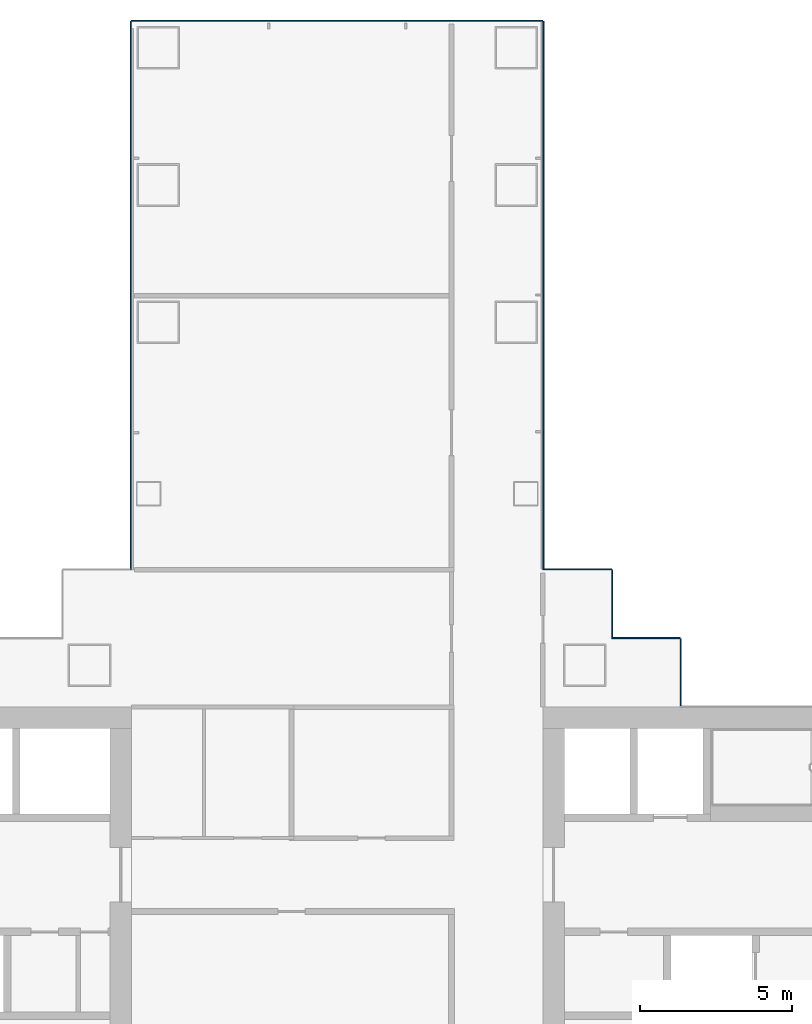
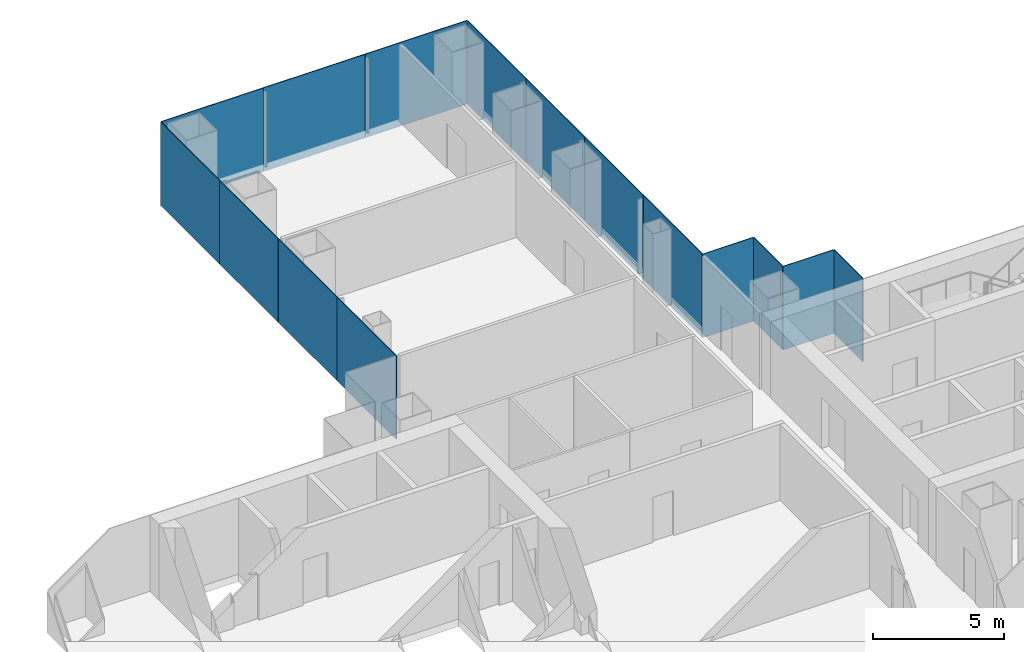
# One storey, part 13 of 21: 15 plates, 4 elements without a shape of their own.
"""IFC4 building model written with IfcOpenShell, lengths in metres."""

from ifc_helpers import new_model, si_unit, direction, frame, origin, origin_2d, place, context, subcontext, project, spatial, rectangle, extrude, material, layer, layer_set, type_object, element, aggregate, save


model = new_model("IFC4")

# Units and contexts
model_context = context("Model", 3, precision=1e-05, world=origin(), true_north=direction((0.0, 1.0)))
body_context = subcontext(model_context, "Body", "Model", "MODEL_VIEW")
ifc_project = project(units=[si_unit("LENGTHUNIT", "METRE"), si_unit("AREAUNIT", "SQUARE_METRE"), si_unit("VOLUMEUNIT", "CUBIC_METRE"), si_unit("PLANEANGLEUNIT", "RADIAN"), si_unit("MASSUNIT", "GRAM", prefix="KILO")], contexts=[model_context])

# Site, building, storey
site_placement = place(None, origin())
site = spatial("IfcSite", under=ifc_project, at=site_placement, CompositionType="ELEMENT")
building_placement = place(site_placement, origin())
building = spatial("IfcBuilding", under=site, at=building_placement, Name="Shamsa Quay Exchange Towers", CompositionType="ELEMENT")
storey_placement = place(building_placement, frame((0.0, 0.0, 65.39990234375)))
storey = spatial("IfcBuildingStorey", under=building, at=storey_placement, Name="L14", CompositionType="ELEMENT", Elevation=65.39990234375)

# Curtain wall, plates
ifc_material_1 = material(Name="Aluminium EN AW-6063 T6, black anodised", Category="aluminium")
ifc_layer_1 = layer(ifc_material_1, 0.280029296875)
ifc_layer_set_1 = layer_set([ifc_layer_1], Name="CW-1 UNITISED VISION GLASS")
curtain_wall_type_1 = type_object("IfcCurtainWallType", Name="CW-1 UNITISED VISION GLASS", PredefinedType="NOTDEFINED", material=ifc_layer_set_1)
curtain_wall_1_placement = place(storey_placement, origin())
curtain_wall_1 = element("IfcCurtainWall", 1, at=curtain_wall_1_placement, inside=storey, type_object=curtain_wall_type_1, Name="CW1 T2-FLK-U+S L14", PredefinedType="NOTDEFINED")
ifc_material_2 = material(Name="Glass, laminated, dark tinted", Category="glass")
ifc_layer_2 = layer(ifc_material_2, 0.0400390625)
ifc_layer_set_2 = layer_set([ifc_layer_2], Name="CW-1 VISION GLASS 40")
plate_type_1 = type_object("IfcPlateType", Name="CW-1 VISION GLASS 40", PredefinedType="CURTAIN_PANEL", material=ifc_layer_set_2)
plate_1_placement = place(storey_placement, frame((40.52001953125, 13.53076171875, -0.349853515625), z_axis=(0.0, 0.0, 1.0), x_axis=(0.0, 1.0, 0.0)))
plate_1 = element("IfcPlate", 2, at=plate_1_placement, type_object=plate_type_1, Name="CW1 glass panel", PredefinedType="CURTAIN_PANEL", context=body_context, shape_type="SweptSolid", body=[
    extrude(rectangle(XDim=4.485595703125, YDim=0.0400390625, at=origin_2d()), origin(), (0.0, 0.0, 1.0), 3.89990234375),
])
plate_2_placement = place(storey_placement, frame((40.52001953125, 18.023681640625, -0.349853515625), z_axis=(0.0, 0.0, 1.0), x_axis=(0.0, 1.0, 0.0)))
plate_2 = element("IfcPlate", 3, at=plate_2_placement, type_object=plate_type_1, Name="CW1 glass panel", PredefinedType="CURTAIN_PANEL", context=body_context, shape_type="SweptSolid", body=[
    extrude(rectangle(XDim=4.48046875, YDim=0.0400390625, at=origin_2d()), origin(), (0.0, 0.0, 1.0), 3.89990234375),
])
plate_3_placement = place(storey_placement, frame((40.52001953125, 22.51416015625, -0.349853515625), z_axis=(0.0, 0.0, 1.0), x_axis=(0.0, 1.0, 0.0)))
plate_3 = element("IfcPlate", 4, at=plate_3_placement, type_object=plate_type_1, Name="CW1 glass panel", PredefinedType="CURTAIN_PANEL", context=body_context, shape_type="SweptSolid", body=[
    extrude(rectangle(XDim=4.48046875, YDim=0.0400390625, at=origin_2d()), origin(), (0.0, 0.0, 1.0), 3.89990234375),
])
plate_4_placement = place(storey_placement, frame((40.52001953125, 27.00732421875, -0.349853515625), z_axis=(0.0, 0.0, 1.0), x_axis=(0.0, 1.0, 0.0)))
plate_4 = element("IfcPlate", 5, at=plate_4_placement, type_object=plate_type_1, Name="CW1 glass panel", PredefinedType="CURTAIN_PANEL", context=body_context, shape_type="SweptSolid", body=[
    extrude(rectangle(XDim=4.485595703125, YDim=0.0400390625, at=origin_2d()), origin(), (0.0, 0.0, 1.0), 3.89990234375),
])
aggregate(curtain_wall_1, [plate_1, plate_2, plate_3, plate_4])

curtain_wall_2_placement = place(storey_placement, origin())
curtain_wall_2 = element("IfcCurtainWall", 6, at=curtain_wall_2_placement, inside=storey, type_object=curtain_wall_type_1, Name="CW1 T2-END-U+ L14", PredefinedType="NOTDEFINED")
plate_5_placement = place(storey_placement, frame((38.25244140625, 29.27001953125, -0.349853515625), z_axis=(0.0, 0.0, 1.0), x_axis=(-1.0, 0.0, 0.0)))
plate_5 = element("IfcPlate", 7, at=plate_5_placement, type_object=plate_type_1, Name="CW1 glass panel", PredefinedType="CURTAIN_PANEL", context=body_context, shape_type="SweptSolid", body=[
    extrude(rectangle(XDim=4.4951171875, YDim=0.0400390625, at=origin_2d()), origin(), (0.0, 0.0, 1.0), 3.89990234375),
])
plate_6_placement = place(storey_placement, frame((33.75, 29.27001953125, -0.349853515625), z_axis=(0.0, 0.0, 1.0), x_axis=(-1.0, 0.0, 0.0)))
plate_6 = element("IfcPlate", 8, at=plate_6_placement, type_object=plate_type_1, Name="CW1 glass panel", PredefinedType="CURTAIN_PANEL", context=body_context, shape_type="SweptSolid", body=[
    extrude(rectangle(XDim=4.489990234375, YDim=0.0400390625, at=origin_2d()), origin(), (0.0, 0.0, 1.0), 3.89990234375),
])
plate_7_placement = place(storey_placement, frame((29.24755859375, 29.27001953125, -0.349853515625), z_axis=(0.0, 0.0, 1.0), x_axis=(-1.0, 0.0, 0.0)))
plate_7 = element("IfcPlate", 9, at=plate_7_placement, type_object=plate_type_1, Name="CW1 glass panel", PredefinedType="CURTAIN_PANEL", context=body_context, shape_type="SweptSolid", body=[
    extrude(rectangle(XDim=4.4951171875, YDim=0.0400390625, at=origin_2d()), origin(), (0.0, 0.0, 1.0), 3.89990234375),
])
aggregate(curtain_wall_2, [plate_5, plate_6, plate_7])

curtain_wall_3_placement = place(storey_placement, origin())
curtain_wall_3 = element("IfcCurtainWall", 10, at=curtain_wall_3_placement, inside=storey, type_object=curtain_wall_type_1, Name="CW1 T2-FLK-U+N L14", PredefinedType="NOTDEFINED")
plate_8_placement = place(storey_placement, frame((26.97998046875, 27.00244140625, -0.349853515625), z_axis=(0.0, 0.0, 1.0), x_axis=(0.0, -1.0, 0.0)))
plate_8 = element("IfcPlate", 11, at=plate_8_placement, type_object=plate_type_1, Name="CW1 glass panel", PredefinedType="CURTAIN_PANEL", context=body_context, shape_type="SweptSolid", body=[
    extrude(rectangle(XDim=4.4951171875, YDim=0.0400390625, at=origin_2d()), origin(), (0.0, 0.0, 1.0), 3.89990234375),
])
plate_9_placement = place(storey_placement, frame((26.97998046875, 22.5, -0.349853515625), z_axis=(0.0, 0.0, 1.0), x_axis=(0.0, -1.0, 0.0)))
plate_9 = element("IfcPlate", 12, at=plate_9_placement, type_object=plate_type_1, Name="CW1 glass panel", PredefinedType="CURTAIN_PANEL", context=body_context, shape_type="SweptSolid", body=[
    extrude(rectangle(XDim=4.489990234375, YDim=0.0400390625, at=origin_2d()), origin(), (0.0, 0.0, 1.0), 3.89990234375),
])
plate_10_placement = place(storey_placement, frame((26.97998046875, 18.0, -0.349853515625), z_axis=(0.0, 0.0, 1.0), x_axis=(0.0, -1.0, 0.0)))
plate_10 = element("IfcPlate", 13, at=plate_10_placement, type_object=plate_type_1, Name="CW1 glass panel", PredefinedType="CURTAIN_PANEL", context=body_context, shape_type="SweptSolid", body=[
    extrude(rectangle(XDim=4.489990234375, YDim=0.0400390625, at=origin_2d()), origin(), (0.0, 0.0, 1.0), 3.89990234375),
])
plate_11_placement = place(storey_placement, frame((26.97998046875, 13.49755859375, -0.349853515625), z_axis=(0.0, 0.0, 1.0), x_axis=(0.0, -1.0, 0.0)))
plate_11 = element("IfcPlate", 14, at=plate_11_placement, type_object=plate_type_1, Name="CW1 glass panel", PredefinedType="CURTAIN_PANEL", context=body_context, shape_type="SweptSolid", body=[
    extrude(rectangle(XDim=4.4951171875, YDim=0.0400390625, at=origin_2d()), origin(), (0.0, 0.0, 1.0), 3.89990234375),
])
aggregate(curtain_wall_3, [plate_8, plate_9, plate_10, plate_11])

ifc_layer_3 = layer(ifc_material_1, 0.256103515625)
ifc_layer_set_3 = layer_set([ifc_layer_3], Name="CW-4 POCKET SERRATED GLAZING")
curtain_wall_type_2 = type_object("IfcCurtainWallType", Name="CW-4 POCKET SERRATED GLAZING", PredefinedType="NOTDEFINED", material=ifc_layer_set_3)
curtain_wall_4_placement = place(storey_placement, origin())
curtain_wall_4 = element("IfcCurtainWall", 15, at=curtain_wall_4_placement, inside=storey, type_object=curtain_wall_type_2, Name="CW4 PKES L14", PredefinedType="NOTDEFINED")
ifc_layer_4 = layer(ifc_material_2, 0.035888671875)
ifc_layer_set_4 = layer_set([ifc_layer_4], Name="CW-4 POCKET GLASS 36")
plate_type_2 = type_object("IfcPlateType", Name="CW-4 POCKET GLASS 36", PredefinedType="CURTAIN_PANEL", material=ifc_layer_set_4)
plate_12_placement = place(storey_placement, frame((45.01806640625, 7.89794921875, -0.349853515625), z_axis=(0.0, 0.0, 1.0), x_axis=(0.0, 1.0, 0.0)))
plate_12 = element("IfcPlate", 16, at=plate_12_placement, type_object=plate_type_2, Name="CW4 glass panel", PredefinedType="CURTAIN_PANEL", context=body_context, shape_type="SweptSolid", body=[
    extrude(rectangle(XDim=2.2041015625, YDim=0.035888671875, at=origin_2d()), origin(), (0.0, 0.0, 1.0), 3.89990234375),
])
plate_13_placement = place(storey_placement, frame((43.875, 9.01806640625, -0.349853515625), z_axis=(0.0, 0.0, 1.0), x_axis=(-1.0, 0.0, 0.0)))
plate_13 = element("IfcPlate", 17, at=plate_13_placement, type_object=plate_type_2, Name="CW4 glass panel", PredefinedType="CURTAIN_PANEL", context=body_context, shape_type="SweptSolid", body=[
    extrude(rectangle(XDim=2.25, YDim=0.035888671875, at=origin_2d()), origin(), (0.0, 0.0, 1.0), 3.89990234375),
])
plate_14_placement = place(storey_placement, frame((42.76806640625, 10.14404296875, -0.349853515625), z_axis=(0.0, 0.0, 1.0), x_axis=(0.0, 1.0, 0.0)))
plate_14 = element("IfcPlate", 18, at=plate_14_placement, type_object=plate_type_2, Name="CW4 glass panel", PredefinedType="CURTAIN_PANEL", context=body_context, shape_type="SweptSolid", body=[
    extrude(rectangle(XDim=2.2119140625, YDim=0.035888671875, at=origin_2d()), origin(), (0.0, 0.0, 1.0), 3.89990234375),
])
plate_15_placement = place(storey_placement, frame((41.625, 11.26806640625, -0.349853515625), z_axis=(0.0, 0.0, 1.0), x_axis=(-1.0, 0.0, 0.0)))
plate_15 = element("IfcPlate", 19, at=plate_15_placement, type_object=plate_type_2, Name="CW4 glass panel", PredefinedType="CURTAIN_PANEL", context=body_context, shape_type="SweptSolid", body=[
    extrude(rectangle(XDim=2.25, YDim=0.035888671875, at=origin_2d()), origin(), (0.0, 0.0, 1.0), 3.89990234375),
])
aggregate(curtain_wall_4, [plate_12, plate_13, plate_14, plate_15])

save(model, "model.ifc")
